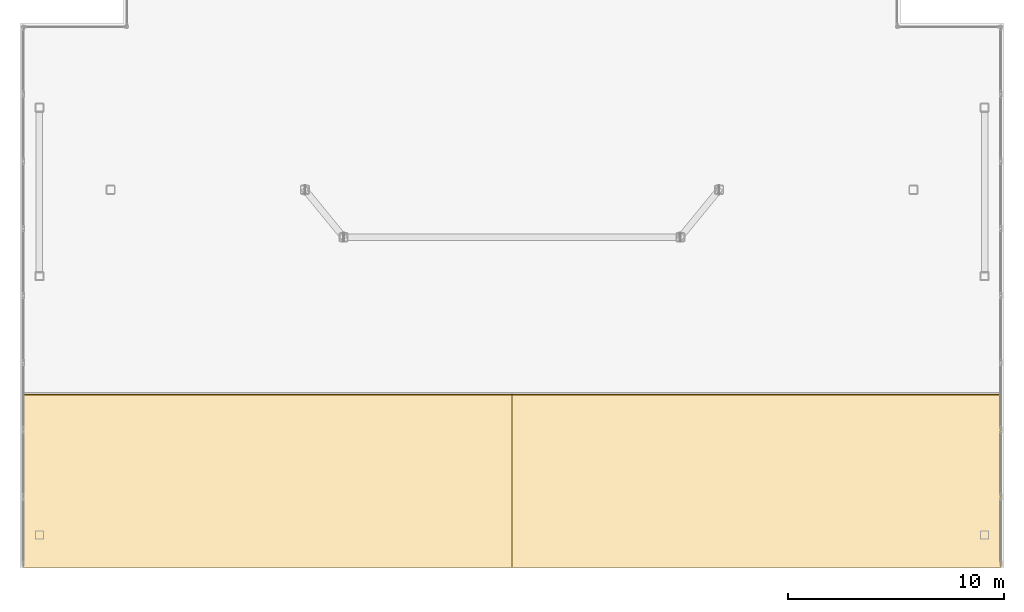
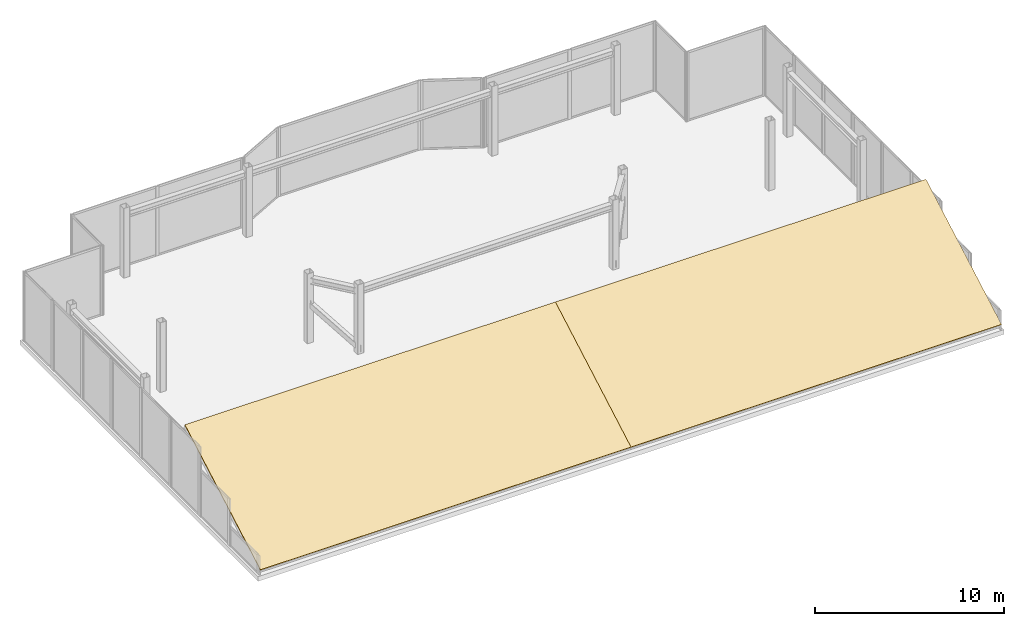
# One storey, part 12 of 12: 2 coverings.
"""IFC4 building model written with IfcOpenShell, lengths in metres."""

from ifc_helpers import new_model, si_unit, direction, frame, origin, place, context, subcontext, project, spatial, polyline, outline, extrude, material, layer, layer_set, type_object, element, save


model = new_model("IFC4")

# Units and contexts
model_context = context("Model", 3, precision=1e-05, world=origin(), true_north=direction((0.0, 1.0)))
body_context = subcontext(model_context, "Body", "Model", "MODEL_VIEW")
ifc_project = project(units=[si_unit("LENGTHUNIT", "METRE"), si_unit("AREAUNIT", "SQUARE_METRE"), si_unit("VOLUMEUNIT", "CUBIC_METRE"), si_unit("PLANEANGLEUNIT", "RADIAN"), si_unit("MASSUNIT", "GRAM", prefix="KILO")], contexts=[model_context])

# Site, building, storey
site_placement = place(None, origin())
site = spatial("IfcSite", under=ifc_project, at=site_placement, CompositionType="ELEMENT")
building_placement = place(site_placement, origin())
building = spatial("IfcBuilding", under=site, at=building_placement, Name="Tarnavaz Court Tower", CompositionType="ELEMENT")
storey_placement = place(building_placement, frame((0.0, 0.0, 299.550048828125)))
storey = spatial("IfcBuildingStorey", under=building, at=storey_placement, Name="C05", CompositionType="ELEMENT", Elevation=299.550048828125)

# Coverings
ifc_material = material(Name="TPO High-Albedo Waterproofing Membrane and Terracotta Tile", Category="masonry")
ifc_layer = layer(ifc_material, 0.06005859375)
ifc_layer_set = layer_set([ifc_layer], Name="TPO High-Albedo Waterproofing Membrane and Terracotta Tile")
covering_type = type_object("IfcCoveringType", Name="CV-ROOF-MEM", PredefinedType="ROOFING", material=ifc_layer_set)
for number, where, z_axis, x_axis, name in (
    (1, (-22.64990234375, 0.5, 4.917724609375), (0.0, -0.492277818231, 0.870438136617), (1.0, 0.0, 0.0), "C05 Terracotta-Tiled Crown Roof Waterproofing Membrane W"),
    (2, (22.64990234375, -7.5, 0.393310546875), (0.0, -0.492277818231, 0.870438136617), (-1.0, 0.0, 0.0), "C05 Terracotta-Tiled Crown Roof Waterproofing Membrane E"),
):
    element("IfcCovering", number, at=place(storey_placement, frame(where, z_axis=z_axis, x_axis=x_axis)), inside=storey, type_object=covering_type, Name=name, PredefinedType="ROOFING", context=body_context, shape_type="SweptSolid", body=[
        extrude(outline(polyline([(0.0, 0.0), (22.64990234375, 0.0), (22.64990234375, -9.19077377639923), (0.0, -9.19077377639923), (0.0, 0.0)])), origin(), (0.0, 0.0, -1.0), 0.06005859375),
    ])

save(model, "model.ifc")
